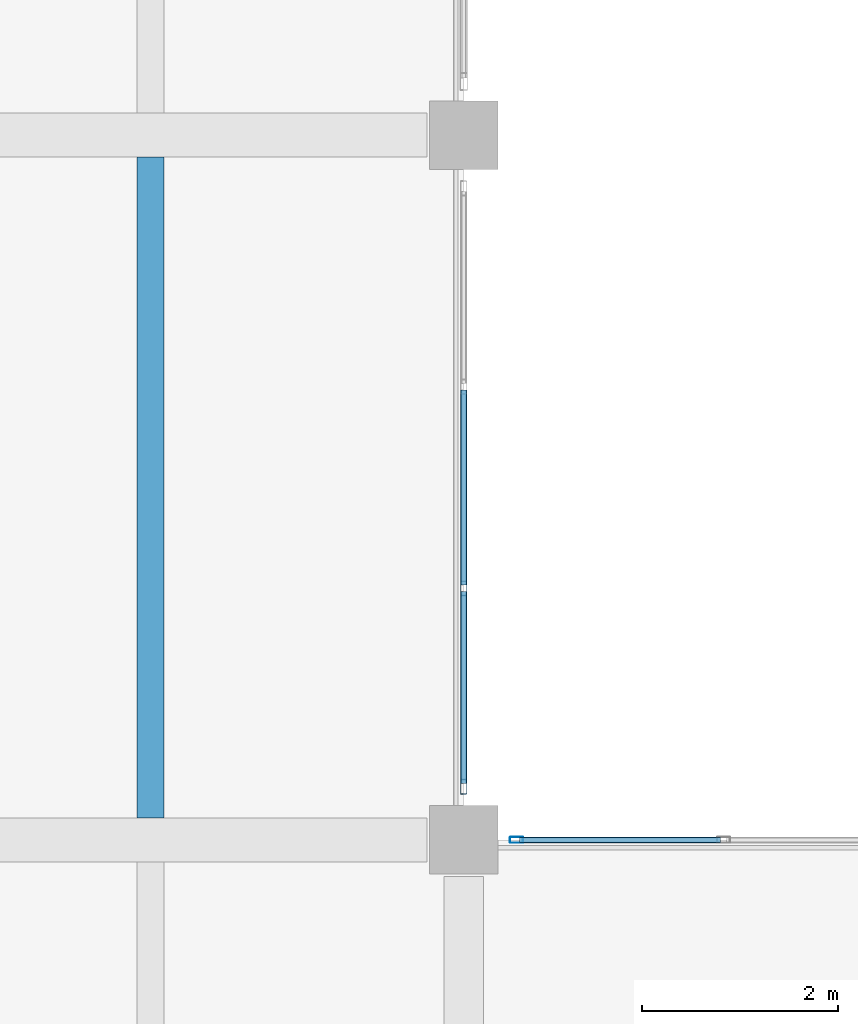
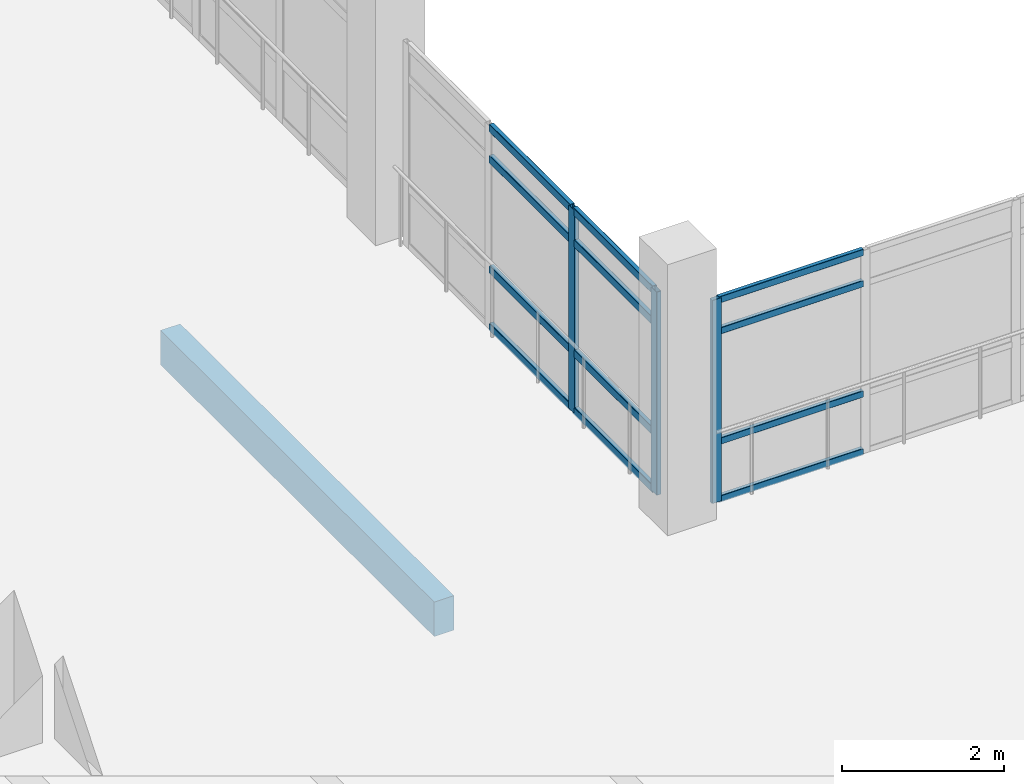
# One storey, part 57 of 180: 15 members, 1 beam, 2 elements without a shape of their own.
"""IFC4 building model written with IfcOpenShell, lengths in metres."""

from ifc_helpers import new_model, si_unit, direction, frame, origin, origin_2d, place, context, subcontext, project, spatial, rectangle, hollow_rectangle, extrude, material, layer, layer_set, material_profile, profile_set, type_object, element, aggregate, save


model = new_model("IFC4")

# Units and contexts
model_context = context("Model", 3, precision=1e-05, world=origin(), true_north=direction((0.0, 1.0)))
body_context = subcontext(model_context, "Body", "Model", "MODEL_VIEW")
ifc_project = project(units=[si_unit("LENGTHUNIT", "METRE"), si_unit("AREAUNIT", "SQUARE_METRE"), si_unit("VOLUMEUNIT", "CUBIC_METRE"), si_unit("PLANEANGLEUNIT", "RADIAN"), si_unit("MASSUNIT", "GRAM", prefix="KILO")], contexts=[model_context])

# Site, building, storey
site_placement = place(None, origin())
site = spatial("IfcSite", under=ifc_project, at=site_placement, CompositionType="ELEMENT")
building_placement = place(site_placement, origin())
building = spatial("IfcBuilding", under=site, at=building_placement, Name="Asteropetra Specialist Clinic", CompositionType="ELEMENT")
storey_placement = place(building_placement, frame((0.0, 0.0, 4.419921875)))
storey = spatial("IfcBuildingStorey", under=building, at=storey_placement, Name="L01", CompositionType="ELEMENT", Elevation=4.419921875)

# Curtain wall, member
ifc_material_1 = material(Name="Aluminium and low-E glass", Category="aluminium")
ifc_layer_1 = layer(ifc_material_1, 0.14990234375)
ifc_layer_set_1 = layer_set([ifc_layer_1], Name="Aluminium and low-E glass")
curtain_wall_type_1 = type_object("IfcCurtainWallType", Name="CW-SYS-08", PredefinedType="USERDEFINED", material=ifc_layer_set_1)
curtain_wall_1_placement = place(storey_placement, origin())
curtain_wall_1 = element("IfcCurtainWall", 1, at=curtain_wall_1_placement, inside=storey, type_object=curtain_wall_type_1, Name="Curtain Wall CW-071", ObjectType="STICK GLAZED COLONNADE", PredefinedType="USERDEFINED")
ifc_material_2 = material(Name="Aluminium 6063-T6", Category="aluminium")
ifc_material_profile_1 = material_profile(ifc_material_2, hollow_rectangle(XDim=0.06005859375, YDim=0.135009765625, WallThickness=0.00341796875, InnerFilletRadius=0.00341796875, OuterFilletRadius=0.007080078125, at=origin_2d()), Name="MUL 135x60x3.5")
ifc_profile_set_1 = profile_set([ifc_material_profile_1], Name="Aluminium 6063-T6")
member_type_1 = type_object("IfcMemberType", Name="CWM-135x60", PredefinedType="MULLION", material=ifc_profile_set_1)
member_1_placement = place(storey_placement, frame((125.340087890625, 19.199951171875, 0.0), z_axis=(0.0, 0.0, 1.0), x_axis=(0.0, 1.0, 0.0)))
member_1 = element("IfcMember", 2, at=member_1_placement, type_object=member_type_1, Name="CW-071 mullion 1", PredefinedType="MULLION", context=body_context, shape_type="SweptSolid", body=[
    extrude(hollow_rectangle(XDim=0.06005859375, YDim=0.135009765625, WallThickness=0.00341796875, InnerFilletRadius=0.00341796875, OuterFilletRadius=0.007080078125, at=origin_2d()), origin(), (0.0, 0.0, 1.0), 3.06005859375),
])

# Curtain wall, members
ifc_material_3 = material(Name="Aluminium and low-E glass", Category="aluminium")
ifc_layer_2 = layer(ifc_material_3, 0.179931640625)
ifc_layer_set_2 = layer_set([ifc_layer_2], Name="Aluminium and low-E glass")
curtain_wall_type_2 = type_object("IfcCurtainWallType", Name="CW-SYS-10", PredefinedType="USERDEFINED", material=ifc_layer_set_2)
curtain_wall_2_placement = place(storey_placement, origin())
curtain_wall_2 = element("IfcCurtainWall", 3, at=curtain_wall_2_placement, inside=storey, type_object=curtain_wall_type_2, Name="Curtain Wall CW-073", ObjectType="STICK GLAZED COLONNADE", PredefinedType="USERDEFINED")
ifc_material_4 = material(Name="Aluminium 6063-T6", Category="aluminium")
ifc_material_profile_2 = material_profile(ifc_material_4, hollow_rectangle(XDim=0.06494140625, YDim=0.14990234375, WallThickness=0.00390625, InnerFilletRadius=0.00390625, OuterFilletRadius=0.008056640625, at=origin_2d()), Name="MUL 150x65x4.0")
ifc_profile_set_2 = profile_set([ifc_material_profile_2], Name="Aluminium 6063-T6")
member_type_2 = type_object("IfcMemberType", Name="CWM-150x65", PredefinedType="MULLION", material=ifc_profile_set_2)
member_2_placement = place(storey_placement, frame((124.800048828125, 21.77001953125, 0.0), z_axis=(0.0, 0.0, 1.0), x_axis=(1.0, 0.0, 0.0)))
member_2 = element("IfcMember", 4, at=member_2_placement, type_object=member_type_2, Name="CW-073 mullion 3", PredefinedType="MULLION", context=body_context, shape_type="SweptSolid", body=[
    extrude(hollow_rectangle(XDim=0.06494140625, YDim=0.14990234375, WallThickness=0.00390625, InnerFilletRadius=0.00390625, OuterFilletRadius=0.008056640625, at=origin_2d()), origin(), (0.0, 0.0, 1.0), 3.06005859375),
])
member_3_placement = place(storey_placement, frame((124.800048828125, 19.742431640625, 0.0), z_axis=(0.0, 0.0, 1.0), x_axis=(1.0, 0.0, 0.0)))
member_3 = element("IfcMember", 5, at=member_3_placement, type_object=member_type_2, Name="CW-073 mullion 4", PredefinedType="MULLION", context=body_context, shape_type="SweptSolid", body=[
    extrude(hollow_rectangle(XDim=0.06494140625, YDim=0.14990234375, WallThickness=0.00390625, InnerFilletRadius=0.00390625, OuterFilletRadius=0.008056640625, at=origin_2d()), origin(), (0.0, 0.0, 1.0), 3.06005859375),
])

# Member
ifc_material_5 = material(Name="Aluminium 6063-T6", Category="aluminium")
ifc_material_profile_3 = material_profile(ifc_material_5, hollow_rectangle(XDim=0.06005859375, YDim=0.10009765625, WallThickness=0.00341796875, InnerFilletRadius=0.00341796875, OuterFilletRadius=0.007080078125, at=origin_2d()), Name="TRN 100x60x3.5")
ifc_profile_set_3 = profile_set([ifc_material_profile_3], Name="Aluminium 6063-T6")
member_type_3 = type_object("IfcMemberType", Name="CWT-100x60", PredefinedType="USERDEFINED", material=ifc_profile_set_3)
member_4_placement = place(storey_placement, frame((125.3701171875, 19.199951171875, 0.030029296875), z_axis=(1.0, 0.0, 0.0), x_axis=(0.0, 1.0, 0.0)))
member_4 = element("IfcMember", 6, at=member_4_placement, type_object=member_type_3, Name="CW-071 transom 1.1", ObjectType="TRANSOM", PredefinedType="USERDEFINED", context=body_context, shape_type="SweptSolid", body=[
    extrude(hollow_rectangle(XDim=0.06005859375, YDim=0.10009765625, WallThickness=0.00341796875, InnerFilletRadius=0.00341796875, OuterFilletRadius=0.007080078125, at=origin_2d()), origin(), (0.0, 0.0, 1.0), 2.054931640625),
])

member_5_placement = place(storey_placement, frame((125.3701171875, 19.199951171875, 0.900146484375), z_axis=(1.0, 0.0, 0.0), x_axis=(0.0, 1.0, 0.0)))
member_5 = element("IfcMember", 7, at=member_5_placement, type_object=member_type_3, Name="CW-071 transom 1.2", ObjectType="TRANSOM", PredefinedType="USERDEFINED", context=body_context, shape_type="SweptSolid", body=[
    extrude(hollow_rectangle(XDim=0.06005859375, YDim=0.10009765625, WallThickness=0.00341796875, InnerFilletRadius=0.00341796875, OuterFilletRadius=0.007080078125, at=origin_2d()), origin(), (0.0, 0.0, 1.0), 2.054931640625),
])

member_6_placement = place(storey_placement, frame((125.3701171875, 19.199951171875, 2.56005859375), z_axis=(1.0, 0.0, 0.0), x_axis=(0.0, 1.0, 0.0)))
member_6 = element("IfcMember", 8, at=member_6_placement, type_object=member_type_3, Name="CW-071 transom 1.3", ObjectType="TRANSOM", PredefinedType="USERDEFINED", context=body_context, shape_type="SweptSolid", body=[
    extrude(hollow_rectangle(XDim=0.06005859375, YDim=0.10009765625, WallThickness=0.00341796875, InnerFilletRadius=0.00341796875, OuterFilletRadius=0.007080078125, at=origin_2d()), origin(), (0.0, 0.0, 1.0), 2.054931640625),
])

member_7_placement = place(storey_placement, frame((125.3701171875, 19.199951171875, 3.030029296875), z_axis=(1.0, 0.0, 0.0), x_axis=(0.0, 1.0, 0.0)))
member_7 = element("IfcMember", 9, at=member_7_placement, type_object=member_type_3, Name="CW-071 transom 1.4", ObjectType="TRANSOM", PredefinedType="USERDEFINED", context=body_context, shape_type="SweptSolid", body=[
    extrude(hollow_rectangle(XDim=0.06005859375, YDim=0.10009765625, WallThickness=0.00341796875, InnerFilletRadius=0.00341796875, OuterFilletRadius=0.007080078125, at=origin_2d()), origin(), (0.0, 0.0, 1.0), 2.054931640625),
])

aggregate(curtain_wall_1, [member_1, member_4, member_5, member_6, member_7])

ifc_material_6 = material(Name="Aluminium 6063-T6", Category="aluminium")
ifc_material_profile_4 = material_profile(ifc_material_6, hollow_rectangle(XDim=0.06494140625, YDim=0.1201171875, WallThickness=0.00390625, InnerFilletRadius=0.00390625, OuterFilletRadius=0.008056640625, at=origin_2d()), Name="TRN 120x65x4.0")
ifc_profile_set_4 = profile_set([ifc_material_profile_4], Name="Aluminium 6063-T6")
member_type_4 = type_object("IfcMemberType", Name="CWT-120x65", PredefinedType="USERDEFINED", material=ifc_profile_set_4)
member_8_placement = place(storey_placement, frame((124.800048828125, 23.797607421875, 0.032470703125), z_axis=(0.0, -1.0, 0.0), x_axis=(1.0, 0.0, 0.0)))
member_8 = element("IfcMember", 10, at=member_8_placement, type_object=member_type_4, Name="CW-073 transom 2.1", ObjectType="TRANSOM", PredefinedType="USERDEFINED", context=body_context, shape_type="SweptSolid", body=[
    extrude(hollow_rectangle(XDim=0.06494140625, YDim=0.1201171875, WallThickness=0.00390625, InnerFilletRadius=0.00390625, OuterFilletRadius=0.008056640625, at=origin_2d()), origin(), (0.0, 0.0, 1.0), 1.9951171875),
])

member_9_placement = place(storey_placement, frame((124.800048828125, 23.797607421875, 0.900146484375), z_axis=(0.0, -1.0, 0.0), x_axis=(1.0, 0.0, 0.0)))
member_9 = element("IfcMember", 11, at=member_9_placement, type_object=member_type_4, Name="CW-073 transom 2.2", ObjectType="TRANSOM", PredefinedType="USERDEFINED", context=body_context, shape_type="SweptSolid", body=[
    extrude(hollow_rectangle(XDim=0.06494140625, YDim=0.1201171875, WallThickness=0.00390625, InnerFilletRadius=0.00390625, OuterFilletRadius=0.008056640625, at=origin_2d()), origin(), (0.0, 0.0, 1.0), 1.9951171875),
])

member_10_placement = place(storey_placement, frame((124.800048828125, 23.797607421875, 2.56005859375), z_axis=(0.0, -1.0, 0.0), x_axis=(1.0, 0.0, 0.0)))
member_10 = element("IfcMember", 12, at=member_10_placement, type_object=member_type_4, Name="CW-073 transom 2.3", ObjectType="TRANSOM", PredefinedType="USERDEFINED", context=body_context, shape_type="SweptSolid", body=[
    extrude(hollow_rectangle(XDim=0.06494140625, YDim=0.1201171875, WallThickness=0.00390625, InnerFilletRadius=0.00390625, OuterFilletRadius=0.008056640625, at=origin_2d()), origin(), (0.0, 0.0, 1.0), 1.9951171875),
])

member_11_placement = place(storey_placement, frame((124.800048828125, 23.797607421875, 3.027587890625), z_axis=(0.0, -1.0, 0.0), x_axis=(1.0, 0.0, 0.0)))
member_11 = element("IfcMember", 13, at=member_11_placement, type_object=member_type_4, Name="CW-073 transom 2.4", ObjectType="TRANSOM", PredefinedType="USERDEFINED", context=body_context, shape_type="SweptSolid", body=[
    extrude(hollow_rectangle(XDim=0.06494140625, YDim=0.1201171875, WallThickness=0.00390625, InnerFilletRadius=0.00390625, OuterFilletRadius=0.008056640625, at=origin_2d()), origin(), (0.0, 0.0, 1.0), 1.9951171875),
])

member_12_placement = place(storey_placement, frame((124.800048828125, 21.737548828125, 0.032470703125), z_axis=(0.0, -1.0, 0.0), x_axis=(1.0, 0.0, 0.0)))
member_12 = element("IfcMember", 14, at=member_12_placement, type_object=member_type_4, Name="CW-073 transom 3.1", ObjectType="TRANSOM", PredefinedType="USERDEFINED", context=body_context, shape_type="SweptSolid", body=[
    extrude(hollow_rectangle(XDim=0.06494140625, YDim=0.1201171875, WallThickness=0.00390625, InnerFilletRadius=0.00390625, OuterFilletRadius=0.008056640625, at=origin_2d()), origin(), (0.0, 0.0, 1.0), 1.962646484375),
])

member_13_placement = place(storey_placement, frame((124.800048828125, 21.737548828125, 0.900146484375), z_axis=(0.0, -1.0, 0.0), x_axis=(1.0, 0.0, 0.0)))
member_13 = element("IfcMember", 15, at=member_13_placement, type_object=member_type_4, Name="CW-073 transom 3.2", ObjectType="TRANSOM", PredefinedType="USERDEFINED", context=body_context, shape_type="SweptSolid", body=[
    extrude(hollow_rectangle(XDim=0.06494140625, YDim=0.1201171875, WallThickness=0.00390625, InnerFilletRadius=0.00390625, OuterFilletRadius=0.008056640625, at=origin_2d()), origin(), (0.0, 0.0, 1.0), 1.962646484375),
])

member_14_placement = place(storey_placement, frame((124.800048828125, 21.737548828125, 2.56005859375), z_axis=(0.0, -1.0, 0.0), x_axis=(1.0, 0.0, 0.0)))
member_14 = element("IfcMember", 16, at=member_14_placement, type_object=member_type_4, Name="CW-073 transom 3.3", ObjectType="TRANSOM", PredefinedType="USERDEFINED", context=body_context, shape_type="SweptSolid", body=[
    extrude(hollow_rectangle(XDim=0.06494140625, YDim=0.1201171875, WallThickness=0.00390625, InnerFilletRadius=0.00390625, OuterFilletRadius=0.008056640625, at=origin_2d()), origin(), (0.0, 0.0, 1.0), 1.962646484375),
])

member_15_placement = place(storey_placement, frame((124.800048828125, 21.737548828125, 3.027587890625), z_axis=(0.0, -1.0, 0.0), x_axis=(1.0, 0.0, 0.0)))
member_15 = element("IfcMember", 17, at=member_15_placement, type_object=member_type_4, Name="CW-073 transom 3.4", ObjectType="TRANSOM", PredefinedType="USERDEFINED", context=body_context, shape_type="SweptSolid", body=[
    extrude(hollow_rectangle(XDim=0.06494140625, YDim=0.1201171875, WallThickness=0.00390625, InnerFilletRadius=0.00390625, OuterFilletRadius=0.008056640625, at=origin_2d()), origin(), (0.0, 0.0, 1.0), 1.962646484375),
])

aggregate(curtain_wall_2, [member_2, member_3, member_8, member_9, member_10, member_11, member_12, member_13, member_14, member_15])

# Beam
ifc_material_7 = material(Name="Concrete C35/45", Category="concrete")
ifc_material_profile_5 = material_profile(ifc_material_7, rectangle(XDim=0.280029296875, YDim=0.52001953125, at=origin_2d()), Name="RCJ 280x520")
ifc_profile_set_5 = profile_set([ifc_material_profile_5], Name="Concrete C35/45")
beam_type = type_object("IfcBeamType", Name="JST-RC280x520", PredefinedType="JOIST", material=ifc_profile_set_5)
beam_placement = place(storey_placement, frame((121.60009765625, 19.425048828125, -0.559814453125), z_axis=(0.0, 1.0, 0.0), x_axis=(-1.0, 0.0, 0.0)))
element("IfcBeam", 18, at=beam_placement, inside=storey, type_object=beam_type, Name="Joist JJST01-0492", PredefinedType="JOIST", context=body_context, shape_type="SweptSolid", body=[
    extrude(rectangle(XDim=0.280029296875, YDim=0.52001953125, at=origin_2d()), origin(), (0.0, 0.0, 1.0), 6.75),
])

save(model, "model.ifc")
